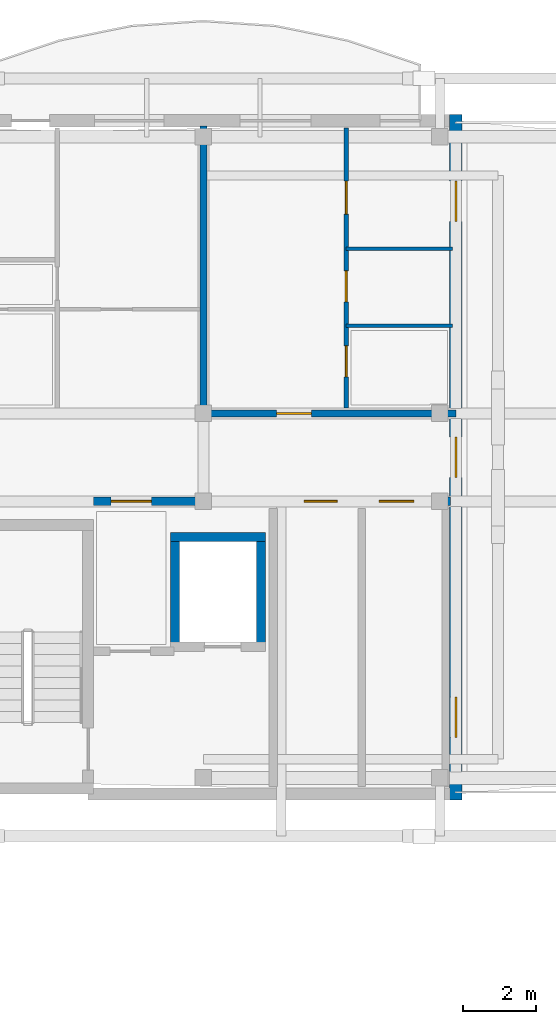
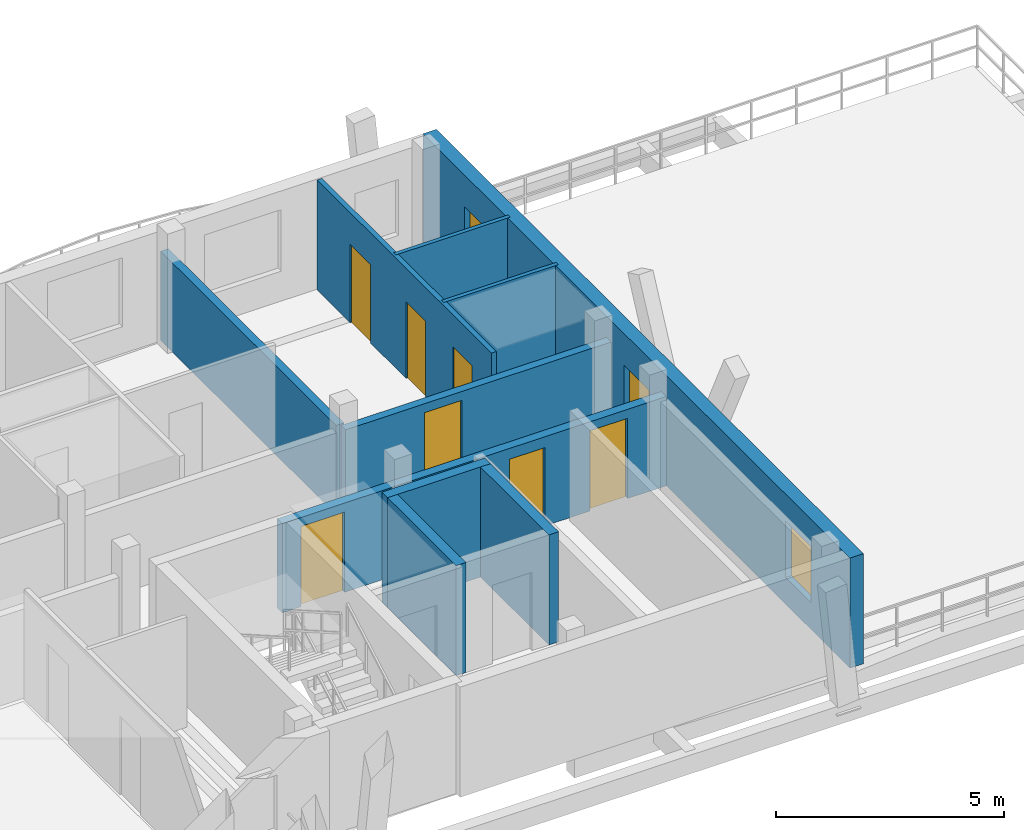
# One storey, part 23 of 42: 10 walls, 9 doors, 1 window, 10 openings.
"""IFC4 building model written with IfcOpenShell, lengths in metres."""

from ifc_helpers import new_model, si_unit, direction, frame, frame_2d, origin, origin_with_axes, place, context, subcontext, project, spatial, rectangle, extrude, material, layer, layer_set, type_object, element, fill, save


model = new_model("IFC4")

# Units and contexts
model_context = context("Model", 3, precision=1e-05, world=origin(), true_north=direction((0.0, 1.0)))
body_context = subcontext(model_context, "Body", "Model", "MODEL_VIEW")
ifc_project = project(units=[si_unit("LENGTHUNIT", "METRE"), si_unit("AREAUNIT", "SQUARE_METRE"), si_unit("VOLUMEUNIT", "CUBIC_METRE"), si_unit("PLANEANGLEUNIT", "RADIAN"), si_unit("MASSUNIT", "GRAM", prefix="KILO")], contexts=[model_context])

# Site, building, storey
site_placement = place(None, origin())
site = spatial("IfcSite", under=ifc_project, at=site_placement, CompositionType="ELEMENT")
building_placement = place(site_placement, origin())
building = spatial("IfcBuilding", under=site, at=building_placement, Name="Zavelmont Quarter", CompositionType="ELEMENT")
storey_placement = place(building_placement, frame((0.0, 0.0, 24.0)))
storey = spatial("IfcBuildingStorey", under=building, at=storey_placement, Name="L07", CompositionType="ELEMENT", Elevation=24.0)

# Wall, openings, doors, window
ifc_material_1 = material(Name="Natural Belgian limestone", Category="masonry")
ifc_layer_1 = layer(ifc_material_1, 0.340087890625)
ifc_layer_set_1 = layer_set([ifc_layer_1], Name="Natural Belgian limestone")
wall_type_1 = type_object("IfcWallType", Name="EW03", PredefinedType="STANDARD", material=ifc_layer_set_1)
wall_1_placement = place(storey_placement, frame((41.39990234375, 97.429931640625, 0.0), z_axis=(0.0, 0.0, 1.0), x_axis=(0.0, 1.0, 0.0)))
wall_1 = element("IfcWall", 1, at=wall_1_placement, inside=storey, type_object=wall_type_1, Name="L07 exterior limestone wall EW03", PredefinedType="STANDARD", context=body_context, shape_type="SweptSolid", body=[
    extrude(rectangle(XDim=18.739990234375, YDim=0.340087890625, at=frame_2d((9.3701171875, 0.0))), origin(), (0.0, 0.0, 1.0), 2.949951171875),
])
opening_1_placement = place(wall_1_placement, frame((8.820068359375, 0.0, 0.0)))
opening_1 = element("IfcOpeningElement", 2, at=opening_1_placement, cuts=wall_1, Name="Opening DR04B", PredefinedType="OPENING", context=body_context, shape_type="SweptSolid", body=[
    extrude(rectangle(XDim=1.10009765625, YDim=2.10009765625, at=frame_2d((0.550048828125, 1.050048828125))), frame((0.0, 0.18212890625, 0.0), z_axis=(0.0, -1.0, 0.0), x_axis=(1.0, 0.0, 0.0)), (0.0, 0.0, 1.0), 0.364013671875),
])
opening_2_placement = place(wall_1_placement, frame((15.820068359375, 0.0, 0.0)))
opening_2 = element("IfcOpeningElement", 3, at=opening_2_placement, cuts=wall_1, Name="Opening DR04B", PredefinedType="OPENING", context=body_context, shape_type="SweptSolid", body=[
    extrude(rectangle(XDim=1.10009765625, YDim=2.10009765625, at=frame_2d((0.550048828125, 1.050048828125))), frame((0.0, 0.18212890625, 0.0), z_axis=(0.0, -1.0, 0.0), x_axis=(1.0, 0.0, 0.0)), (0.0, 0.0, 1.0), 0.364013671875),
])
opening_3_placement = place(wall_1_placement, frame((1.719970703125, 0.0, 0.719970703125)))
opening_3 = element("IfcOpeningElement", 4, at=opening_3_placement, cuts=wall_1, Name="Opening WN09", PredefinedType="OPENING", context=body_context, shape_type="SweptSolid", body=[
    extrude(rectangle(XDim=1.10009765625, YDim=1.5, at=frame_2d((0.550048828125, 0.75))), frame((0.0, 0.18212890625, 0.0), z_axis=(0.0, -1.0, 0.0), x_axis=(1.0, 0.0, 0.0)), (0.0, 0.0, 1.0), 0.364013671875),
])
ifc_material_2 = material(Name="Thermally broken aluminium and double safety glass", Category="aluminium")
door_type_1 = type_object("IfcDoorType", Name="DR04B", OperationType="NOTDEFINED", PredefinedType="DOOR", material=ifc_material_2)
door_1_placement = place(opening_1_placement, origin_with_axes())
door_1 = element("IfcDoor", 5, at=door_1_placement, inside=storey, type_object=door_type_1, Name="Block B L07 terrace or vase balcony door", OperationType="SINGLE_SWING_RIGHT", OverallHeight=2.10009765625, OverallWidth=1.10009765625, PredefinedType="DOOR", context=body_context, shape_type="SweptSolid", body=[
    extrude(rectangle(XDim=1.10009765625, YDim=2.10009765625, at=frame_2d((0.550048828125, 1.050048828125))), frame((0.0, 0.02490234375, 0.0), z_axis=(0.0, -1.0, 0.0), x_axis=(1.0, 0.0, 0.0)), (0.0, 0.0, 1.0), 0.050048828125),
])
fill(opening_1, door_1)
door_2_placement = place(opening_2_placement, origin_with_axes())
door_2 = element("IfcDoor", 6, at=door_2_placement, inside=storey, type_object=door_type_1, Name="Block B L07 terrace or vase balcony door", OperationType="SINGLE_SWING_LEFT", OverallHeight=2.10009765625, OverallWidth=1.10009765625, PredefinedType="DOOR", context=body_context, shape_type="SweptSolid", body=[
    extrude(rectangle(XDim=1.10009765625, YDim=2.10009765625, at=frame_2d((0.550048828125, 1.050048828125))), frame((0.0, 0.02490234375, 0.0), z_axis=(0.0, -1.0, 0.0), x_axis=(1.0, 0.0, 0.0)), (0.0, 0.0, 1.0), 0.050048828125),
])
fill(opening_2, door_2)
ifc_material_3 = material(Name="Double low-E insulated glazing in thermally broken aluminium frame", Category="aluminium")
window_type = type_object("IfcWindowType", Name="WN09", PartitioningType="SINGLE_PANEL", PredefinedType="WINDOW", material=ifc_material_3)
window_placement = place(opening_3_placement, origin_with_axes())
window = element("IfcWindow", 7, at=window_placement, inside=storey, type_object=window_type, Name="L07 window WN09", OverallHeight=1.5, OverallWidth=1.10009765625, PartitioningType="SINGLE_PANEL", PredefinedType="WINDOW", context=body_context, shape_type="SweptSolid", body=[
    extrude(rectangle(XDim=1.10009765625, YDim=1.5, at=frame_2d((0.550048828125, 0.75))), frame((0.0, 0.030029296875, 0.0), z_axis=(0.0, -1.0, 0.0), x_axis=(1.0, 0.0, 0.0)), (0.0, 0.0, 1.0), 0.06005859375),
])
fill(opening_3, window)

# Wall
ifc_material_4 = material(Name="Calcium-silicate blockwork and acoustic plaster", Category="masonry")
ifc_layer_2 = layer(ifc_material_4, 0.199951171875)
ifc_layer_set_2 = layer_set([ifc_layer_2], Name="Calcium-silicate blockwork and acoustic plaster")
wall_type_2 = type_object("IfcWallType", Name="IW01", PredefinedType="PARTITIONING", material=ifc_layer_set_2)
wall_2_placement = place(storey_placement, frame((34.5, 108.14990234375, 0.0), z_axis=(0.0, 0.0, 1.0), x_axis=(0.0, 1.0, 0.0)))
element("IfcWall", 8, at=wall_2_placement, inside=storey, type_object=wall_type_2, Name="L07 Inter-dwelling compartment wall IW01", PredefinedType="PARTITIONING", context=body_context, shape_type="SweptSolid", body=[
    extrude(rectangle(XDim=7.7001953125, YDim=0.199951171875, at=frame_2d((3.85009765625, 0.0))), origin(), (0.0, 0.0, 1.0), 2.389892578125),
])

# Wall, opening, door
wall_3_placement = place(storey_placement, frame((34.5, 108.0, 0.0), z_axis=(0.0, 0.0, 1.0), x_axis=(1.0, 0.0, 0.0)))
wall_3 = element("IfcWall", 9, at=wall_3_placement, inside=storey, type_object=wall_type_2, Name="L07 Corridor compartment wall IW01", PredefinedType="PARTITIONING", context=body_context, shape_type="SweptSolid", body=[
    extrude(rectangle(XDim=6.89990234375, YDim=0.199951171875, at=frame_2d((3.449951171875, 0.0))), origin(), (0.0, 0.0, 1.0), 2.389892578125),
])
opening_4_placement = place(wall_3_placement, frame((2.0, 0.0, 0.0)))
opening_4 = element("IfcOpeningElement", 10, at=opening_4_placement, cuts=wall_3, Name="Opening DR02", PredefinedType="OPENING", context=body_context, shape_type="SweptSolid", body=[
    extrude(rectangle(XDim=0.949951171875, YDim=2.14990234375, at=frame_2d((0.47509765625, 1.074951171875))), frame((0.0, 0.11181640625, 0.0), z_axis=(0.0, -1.0, 0.0), x_axis=(1.0, 0.0, 0.0)), (0.0, 0.0, 1.0), 0.223876953125),
])
ifc_material_5 = material(Name="Solid-core oak fire leaf in steel frame", Category="steel")
door_type_2 = type_object("IfcDoorType", Name="DR02", OperationType="NOTDEFINED", PredefinedType="DOOR", material=ifc_material_5)
door_3_placement = place(opening_4_placement, origin_with_axes())
door_3 = element("IfcDoor", 11, at=door_3_placement, inside=storey, type_object=door_type_2, Name="L07 door DR02", OperationType="SINGLE_SWING_RIGHT", OverallHeight=2.14990234375, OverallWidth=0.949951171875, PredefinedType="DOOR", context=body_context, shape_type="SweptSolid", body=[
    extrude(rectangle(XDim=0.949951171875, YDim=2.14990234375, at=frame_2d((0.47509765625, 1.074951171875))), frame((0.0, 0.02490234375, 0.0), z_axis=(0.0, -1.0, 0.0), x_axis=(1.0, 0.0, 0.0)), (0.0, 0.0, 1.0), 0.050048828125),
])
fill(opening_4, door_3)

# Wall, openings, doors
ifc_material_6 = material(Name="Reinforced masonry fire compartment wall", Category="masonry")
ifc_layer_3 = layer(ifc_material_6, 0.22509765625)
ifc_layer_set_3 = layer_set([ifc_layer_3], Name="Reinforced masonry fire compartment wall")
wall_type_3 = type_object("IfcWallType", Name="IW02", PredefinedType="PARTITIONING", material=ifc_layer_set_3)
wall_4_placement = place(storey_placement, frame((31.5, 105.60009765625, 0.0), z_axis=(0.0, 0.0, 1.0), x_axis=(1.0, 0.0, 0.0)))
wall_4 = element("IfcWall", 12, at=wall_4_placement, inside=storey, type_object=wall_type_3, Name="L07 Core corridor fire wall IW02", PredefinedType="PARTITIONING", context=body_context, shape_type="SweptSolid", body=[
    extrude(rectangle(XDim=9.75, YDim=0.22509765625, at=frame_2d((4.875, 0.0))), origin(), (0.0, 0.0, 1.0), 2.389892578125),
])
opening_5_placement = place(wall_4_placement, frame((0.47509765625, 0.0, 0.0)))
opening_5 = element("IfcOpeningElement", 13, at=opening_5_placement, cuts=wall_4, Name="Opening DR10", PredefinedType="OPENING", context=body_context, shape_type="SweptSolid", body=[
    extrude(rectangle(XDim=1.10009765625, YDim=2.14990234375, at=frame_2d((0.550048828125, 1.074951171875))), frame((0.0, 0.12451171875, 0.0), z_axis=(0.0, -1.0, 0.0), x_axis=(1.0, 0.0, 0.0)), (0.0, 0.0, 1.0), 0.2490234375),
])
opening_6_placement = place(wall_4_placement, frame((5.75, 0.0, 0.0)))
opening_6 = element("IfcOpeningElement", 14, at=opening_6_placement, cuts=wall_4, Name="Opening DR11", PredefinedType="OPENING", context=body_context, shape_type="SweptSolid", body=[
    extrude(rectangle(XDim=0.89990234375, YDim=2.10009765625, at=frame_2d((0.449951171875, 1.050048828125))), frame((0.0, 0.12451171875, 0.0), z_axis=(0.0, -1.0, 0.0), x_axis=(1.0, 0.0, 0.0)), (0.0, 0.0, 1.0), 0.2490234375),
])
opening_7_placement = place(wall_4_placement, frame((7.800048828125, 0.0, 0.0)))
opening_7 = element("IfcOpeningElement", 15, at=opening_7_placement, cuts=wall_4, Name="Opening DR02", PredefinedType="OPENING", context=body_context, shape_type="SweptSolid", body=[
    extrude(rectangle(XDim=0.949951171875, YDim=2.14990234375, at=frame_2d((0.47509765625, 1.074951171875))), frame((0.0, 0.12451171875, 0.0), z_axis=(0.0, -1.0, 0.0), x_axis=(1.0, 0.0, 0.0)), (0.0, 0.0, 1.0), 0.2490234375),
])
door_4_placement = place(opening_7_placement, origin_with_axes())
door_4 = element("IfcDoor", 16, at=door_4_placement, inside=storey, type_object=door_type_2, Name="Auxiliary store corridor door", OperationType="SINGLE_SWING_RIGHT", OverallHeight=2.14990234375, OverallWidth=0.949951171875, PredefinedType="DOOR", context=body_context, shape_type="SweptSolid", body=[
    extrude(rectangle(XDim=0.949951171875, YDim=2.14990234375, at=frame_2d((0.47509765625, 1.074951171875))), frame((0.0, 0.02490234375, 0.0), z_axis=(0.0, -1.0, 0.0), x_axis=(1.0, 0.0, 0.0)), (0.0, 0.0, 1.0), 0.050048828125),
])
fill(opening_7, door_4)
ifc_material_7 = material(Name="Painted steel lobby fire door", Category="steel")
door_type_3 = type_object("IfcDoorType", Name="DR10", OperationType="NOTDEFINED", PredefinedType="DOOR", material=ifc_material_7)
door_5_placement = place(opening_5_placement, frame((1.10009765625, 0.0, 0.0), z_axis=(0.0, 0.0, 1.0), x_axis=(-1.0, 0.0, 0.0)))
door_5 = element("IfcDoor", 17, at=door_5_placement, inside=storey, type_object=door_type_3, Name="Core vestibule fire door", OperationType="SINGLE_SWING_LEFT", OverallHeight=2.14990234375, OverallWidth=1.10009765625, PredefinedType="DOOR", context=body_context, shape_type="SweptSolid", body=[
    extrude(rectangle(XDim=1.10009765625, YDim=2.14990234375, at=frame_2d((0.550048828125, 1.074951171875))), frame((0.0, 0.02490234375, 0.0), z_axis=(0.0, -1.0, 0.0), x_axis=(1.0, 0.0, 0.0)), (0.0, 0.0, 1.0), 0.050048828125),
])
fill(opening_5, door_5)
ifc_material_8 = material(Name="Painted steel service-riser fire door", Category="steel")
door_type_4 = type_object("IfcDoorType", Name="DR11", OperationType="NOTDEFINED", PredefinedType="DOOR", material=ifc_material_8)
door_6_placement = place(opening_6_placement, origin_with_axes())
door_6 = element("IfcDoor", 18, at=door_6_placement, inside=storey, type_object=door_type_4, Name="Service riser fire door", OperationType="SINGLE_SWING_LEFT", OverallHeight=2.10009765625, OverallWidth=0.89990234375, PredefinedType="DOOR", context=body_context, shape_type="SweptSolid", body=[
    extrude(rectangle(XDim=0.89990234375, YDim=2.10009765625, at=frame_2d((0.449951171875, 1.050048828125))), frame((0.0, 0.02490234375, 0.0), z_axis=(0.0, -1.0, 0.0), x_axis=(1.0, 0.0, 0.0)), (0.0, 0.0, 1.0), 0.050048828125),
])
fill(opening_6, door_6)

ifc_material_9 = material(Name="Double gypsum board on acoustic steel stud", Category="steel")
ifc_layer_4 = layer(ifc_material_9, 0.125)
ifc_layer_set_4 = layer_set([ifc_layer_4], Name="Double gypsum board on acoustic steel stud")
wall_type_4 = type_object("IfcWallType", Name="IW03", PredefinedType="PARTITIONING", material=ifc_layer_set_4)
wall_5_placement = place(storey_placement, frame((38.39990234375, 108.14990234375, 0.0), z_axis=(0.0, 0.0, 1.0), x_axis=(0.0, 1.0, 0.0)))
wall_5 = element("IfcWall", 19, at=wall_5_placement, inside=storey, type_object=wall_type_4, Name="L07 Partition IW03", PredefinedType="PARTITIONING", context=body_context, shape_type="SweptSolid", body=[
    extrude(rectangle(XDim=7.650146484375, YDim=0.125, at=frame_2d((3.8251953125, 0.0))), origin(), (0.0, 0.0, 1.0), 2.949951171875),
])
opening_8_placement = place(wall_5_placement, frame((0.85009765625, 0.0, 0.0)))
opening_8 = element("IfcOpeningElement", 20, at=opening_8_placement, cuts=wall_5, Name="Opening DR16", PredefinedType="OPENING", context=body_context, shape_type="SweptSolid", body=[
    extrude(rectangle(XDim=0.85009765625, YDim=2.10009765625, at=frame_2d((0.425048828125, 1.050048828125))), frame((0.0, 0.074462890625, 0.0), z_axis=(0.0, -1.0, 0.0), x_axis=(1.0, 0.0, 0.0)), (0.0, 0.0, 1.0), 0.14892578125),
])
opening_9_placement = place(wall_5_placement, frame((2.89990234375, 0.0, 0.0)))
opening_9 = element("IfcOpeningElement", 21, at=opening_9_placement, cuts=wall_5, Name="Opening DR06", PredefinedType="OPENING", context=body_context, shape_type="SweptSolid", body=[
    extrude(rectangle(XDim=0.85009765625, YDim=2.050048828125, at=frame_2d((0.425048828125, 1.02490234375))), frame((0.0, 0.074462890625, 0.0), z_axis=(0.0, -1.0, 0.0), x_axis=(1.0, 0.0, 0.0)), (0.0, 0.0, 1.0), 0.14892578125),
])
opening_10_placement = place(wall_5_placement, frame((5.300048828125, 0.0, 0.0)))
opening_10 = element("IfcOpeningElement", 22, at=opening_10_placement, cuts=wall_5, Name="Opening DR05", PredefinedType="OPENING", context=body_context, shape_type="SweptSolid", body=[
    extrude(rectangle(XDim=0.89990234375, YDim=2.10009765625, at=frame_2d((0.449951171875, 1.050048828125))), frame((0.0, 0.074462890625, 0.0), z_axis=(0.0, -1.0, 0.0), x_axis=(1.0, 0.0, 0.0)), (0.0, 0.0, 1.0), 0.14892578125),
])
ifc_material_10 = material(Name="Engineered oak flush interior door")
door_type_5 = type_object("IfcDoorType", Name="DR05", OperationType="NOTDEFINED", PredefinedType="DOOR", material=ifc_material_10)
door_7_placement = place(opening_10_placement, origin_with_axes())
door_7 = element("IfcDoor", 23, at=door_7_placement, inside=storey, type_object=door_type_5, Name="L07 door DR05", OperationType="SINGLE_SWING_RIGHT", OverallHeight=2.10009765625, OverallWidth=0.89990234375, PredefinedType="DOOR", context=body_context, shape_type="SweptSolid", body=[
    extrude(rectangle(XDim=0.89990234375, YDim=2.10009765625, at=frame_2d((0.449951171875, 1.050048828125))), frame((0.0, 0.02490234375, 0.0), z_axis=(0.0, -1.0, 0.0), x_axis=(1.0, 0.0, 0.0)), (0.0, 0.0, 1.0), 0.050048828125),
])
fill(opening_10, door_7)
ifc_material_11 = material(Name="Moisture-resistant painted wet-room door")
door_type_6 = type_object("IfcDoorType", Name="DR06", OperationType="NOTDEFINED", PredefinedType="DOOR", material=ifc_material_11)
door_8_placement = place(opening_9_placement, frame((0.85009765625, 0.0, 0.0), z_axis=(0.0, 0.0, 1.0), x_axis=(-1.0, 0.0, 0.0)))
door_8 = element("IfcDoor", 24, at=door_8_placement, inside=storey, type_object=door_type_6, Name="L07 door DR06", OperationType="SINGLE_SWING_LEFT", OverallHeight=2.050048828125, OverallWidth=0.85009765625, PredefinedType="DOOR", context=body_context, shape_type="SweptSolid", body=[
    extrude(rectangle(XDim=0.85009765625, YDim=2.050048828125, at=frame_2d((0.425048828125, 1.02490234375))), frame((0.0, 0.02490234375, 0.0), z_axis=(0.0, -1.0, 0.0), x_axis=(1.0, 0.0, 0.0)), (0.0, 0.0, 1.0), 0.050048828125),
])
fill(opening_9, door_8)
door_type_7 = type_object("IfcDoorType", Name="DR16", OperationType="NOTDEFINED", PredefinedType="DOOR", material=ifc_material_10)
door_9_placement = place(opening_8_placement, origin_with_axes())
door_9 = element("IfcDoor", 25, at=door_9_placement, inside=storey, type_object=door_type_7, Name="L07 door DR16", OperationType="SINGLE_SWING_RIGHT", OverallHeight=2.10009765625, OverallWidth=0.85009765625, PredefinedType="DOOR", context=body_context, shape_type="SweptSolid", body=[
    extrude(rectangle(XDim=0.85009765625, YDim=2.10009765625, at=frame_2d((0.425048828125, 1.050048828125))), frame((0.0, 0.02490234375, 0.0), z_axis=(0.0, -1.0, 0.0), x_axis=(1.0, 0.0, 0.0)), (0.0, 0.0, 1.0), 0.050048828125),
])
fill(opening_8, door_9)

# Walls
ifc_material_12 = material(Name="Moisture-resistant gypsum board on steel stud", Category="steel")
ifc_layer_5 = layer(ifc_material_12, 0.10009765625)
ifc_layer_set_5 = layer_set([ifc_layer_5], Name="Moisture-resistant gypsum board on steel stud")
wall_type_5 = type_object("IfcWallType", Name="IW04", PredefinedType="PARTITIONING", material=ifc_layer_set_5)
for number, where, z_axis, x_axis, name in (
    (26, (38.39990234375, 110.39990234375, 0.0), (0.0, 0.0, 1.0), (1.0, 0.0, 0.0), "L07 Partition IW04"),
    (27, (38.39990234375, 112.5, 0.0), (0.0, 0.0, 1.0), (1.0, 0.0, 0.0), "L07 Partition IW04"),
):
    element("IfcWall", number, at=place(storey_placement, frame(where, z_axis=z_axis, x_axis=x_axis)), inside=storey, type_object=wall_type_5, Name=name, PredefinedType="PARTITIONING", context=body_context, shape_type="SweptSolid", body=[
        extrude(rectangle(XDim=2.900146484375, YDim=0.10009765625, at=frame_2d((1.4501953125, 0.0))), origin(), (0.0, 0.0, 1.0), 2.949951171875),
    ])
ifc_material_13 = material(Name="Concrete C40/50", Category="concrete")
ifc_layer_6 = layer(ifc_material_13, 0.25)
ifc_layer_set_6 = layer_set([ifc_layer_6], Name="Concrete C40/50")
wall_type_6 = type_object("IfcWallType", Name="SW02", PredefinedType="SHEAR", material=ifc_layer_set_6)
wall_6_placement = place(storey_placement, frame((33.60009765625, 104.625, 0.0), z_axis=(0.0, 0.0, 1.0), x_axis=(1.0, 0.0, 0.0)))
element("IfcWall", 28, at=wall_6_placement, inside=storey, type_object=wall_type_6, Name="L07 Lift LF04 back shaft wall SW02", PredefinedType="SHEAR", context=body_context, shape_type="SweptSolid", body=[
    extrude(rectangle(XDim=2.599853515625, YDim=0.25, at=frame_2d((1.2998046875, 0.0))), origin(), (0.0, 0.0, 1.0), 2.949951171875),
])
for number, where, z_axis, x_axis, name in (
    (29, (33.72509765625, 101.5, 0.0), (0.0, 0.0, 1.0), (0.0, 1.0, 0.0), "L07 Lift LF04 west shaft wall SW02"),
    (30, (36.074951171875, 101.5, 0.0), (0.0, 0.0, 1.0), (0.0, 1.0, 0.0), "L07 Lift LF04 east shaft wall SW02"),
):
    element("IfcWall", number, at=place(storey_placement, frame(where, z_axis=z_axis, x_axis=x_axis)), inside=storey, type_object=wall_type_6, Name=name, PredefinedType="SHEAR", context=body_context, shape_type="SweptSolid", body=[
        extrude(rectangle(XDim=3.25, YDim=0.25, at=frame_2d((1.625, 0.0))), origin(), (0.0, 0.0, 1.0), 2.949951171875),
    ])

save(model, "model.ifc")
